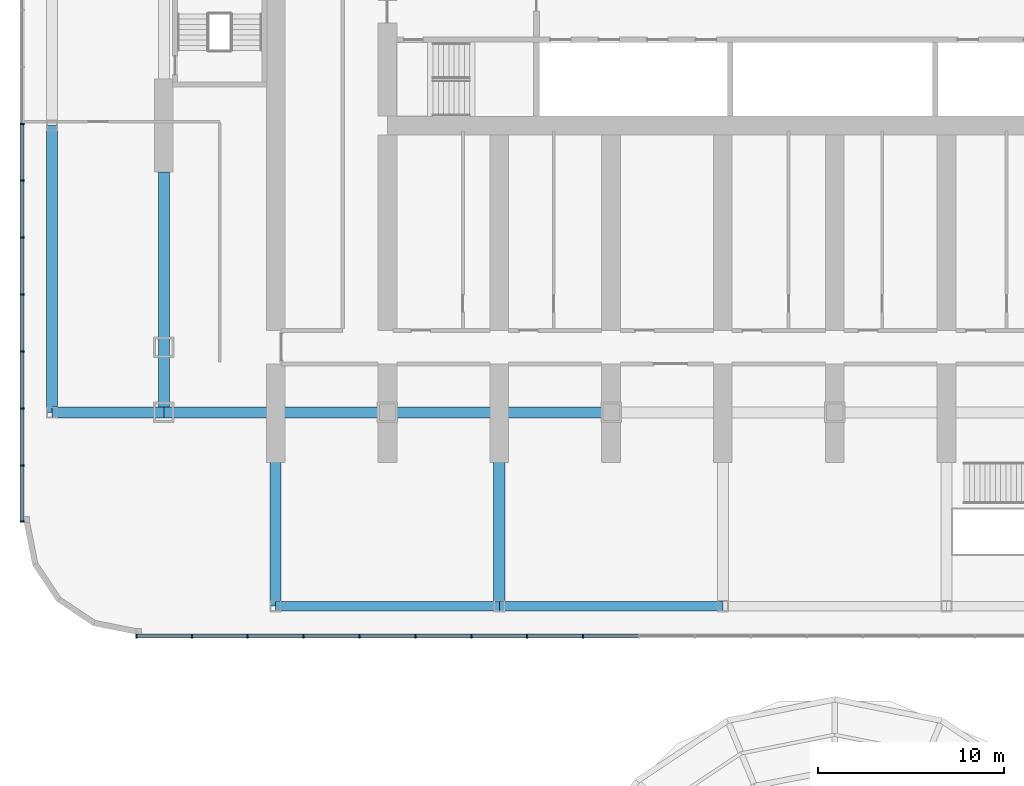
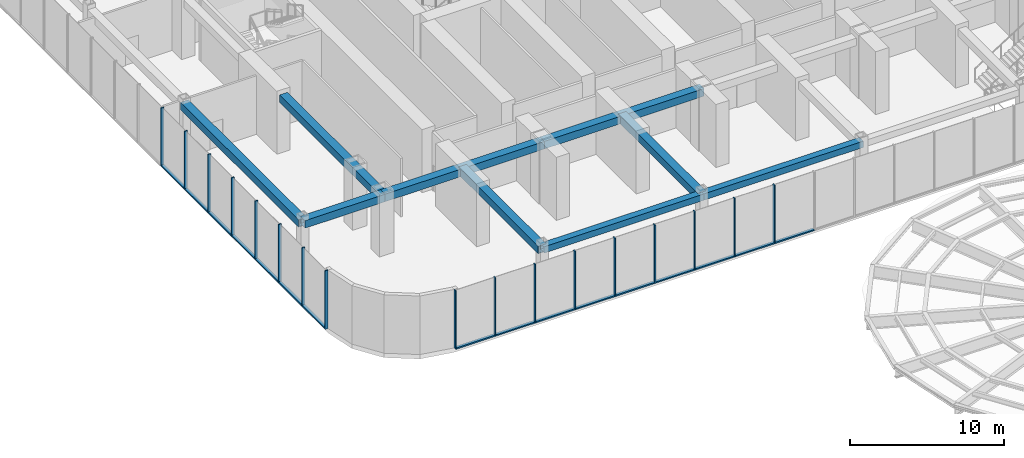
# One storey, part 5 of 37: 33 members, 9 beams, 2 elements without a shape of their own.
"""IFC4 building model written with IfcOpenShell, lengths in metres."""

from ifc_helpers import new_model, si_unit, direction, frame, origin, origin_2d, place, context, subcontext, project, spatial, rectangle, hollow_rectangle, extrude, material, material_profile, profile_set, type_object, element, aggregate, save


model = new_model("IFC4")

# Units and contexts
model_context = context("Model", 3, precision=1e-05, world=origin(), true_north=direction((0.0, 1.0)))
body_context = subcontext(model_context, "Body", "Model", "MODEL_VIEW")
ifc_project = project(units=[si_unit("LENGTHUNIT", "METRE"), si_unit("AREAUNIT", "SQUARE_METRE"), si_unit("VOLUMEUNIT", "CUBIC_METRE"), si_unit("PLANEANGLEUNIT", "RADIAN"), si_unit("MASSUNIT", "GRAM", prefix="KILO")], contexts=[model_context])

# Site, building, storey
site_placement = place(None, origin())
site = spatial("IfcSite", under=ifc_project, at=site_placement, CompositionType="ELEMENT")
building_placement = place(site_placement, origin())
building = spatial("IfcBuilding", under=site, at=building_placement, Name="Orbita Commons", CompositionType="ELEMENT")
storey_placement = place(building_placement, frame((0.0, 0.0, 6.0)))
storey = spatial("IfcBuildingStorey", under=building, at=storey_placement, Name="L01", CompositionType="ELEMENT", Elevation=6.0)

# Curtain wall, members
ifc_material_1 = material(Name="Anodised aluminium frame, pale silver", Category="aluminium")
curtain_wall_type = type_object("IfcCurtainWallType", Name="Podium storefront curtain wall CW-P", PredefinedType="NOTDEFINED", material=ifc_material_1)
curtain_wall_1_placement = place(storey_placement, origin())
curtain_wall_1 = element("IfcCurtainWall", 1, at=curtain_wall_1_placement, inside=storey, type_object=curtain_wall_type, Name="Curtain wall S 1 L01", PredefinedType="NOTDEFINED")
ifc_material_2 = material(Name="Anodised aluminium, pale silver", Category="aluminium")
ifc_material_profile_1 = material_profile(ifc_material_2, rectangle(XDim=0.080078125, YDim=0.219970703125, at=origin_2d()), Name="AL 80x220")
ifc_profile_set_1 = profile_set([ifc_material_profile_1], Name="Anodised aluminium, pale silver")
member_type_1 = type_object("IfcMemberType", Name="Curtain wall mullion 80x220", PredefinedType="MULLION", material=ifc_profile_set_1)
member_1_placement = place(storey_placement, frame((4.5400390625, -1.610107421875, 0.0), z_axis=(0.0, 0.0, 1.0), x_axis=(1.0, 0.0, 0.0)))
member_1 = element("IfcMember", 2, at=member_1_placement, type_object=member_type_1, Name="Mullion 1 CW-L01-S0", PredefinedType="MULLION", context=body_context, shape_type="SweptSolid", body=[
    extrude(rectangle(XDim=0.080078125, YDim=0.219970703125, at=origin_2d()), origin(), (0.0, 0.0, 1.0), 4.64990234375),
])
member_2_placement = place(storey_placement, frame((7.5, -1.610107421875, 0.0), z_axis=(0.0, 0.0, 1.0), x_axis=(1.0, 0.0, 0.0)))
member_2 = element("IfcMember", 3, at=member_2_placement, type_object=member_type_1, Name="Mullion 2 CW-L01-S0", PredefinedType="MULLION", context=body_context, shape_type="SweptSolid", body=[
    extrude(rectangle(XDim=0.080078125, YDim=0.219970703125, at=origin_2d()), origin(), (0.0, 0.0, 1.0), 4.64990234375),
])
member_3_placement = place(storey_placement, frame((10.5, -1.610107421875, 0.0), z_axis=(0.0, 0.0, 1.0), x_axis=(1.0, 0.0, 0.0)))
member_3 = element("IfcMember", 4, at=member_3_placement, type_object=member_type_1, Name="Mullion 3 CW-L01-S0", PredefinedType="MULLION", context=body_context, shape_type="SweptSolid", body=[
    extrude(rectangle(XDim=0.080078125, YDim=0.219970703125, at=origin_2d()), origin(), (0.0, 0.0, 1.0), 4.64990234375),
])
member_4_placement = place(storey_placement, frame((13.5, -1.610107421875, 0.0), z_axis=(0.0, 0.0, 1.0), x_axis=(1.0, 0.0, 0.0)))
member_4 = element("IfcMember", 5, at=member_4_placement, type_object=member_type_1, Name="Mullion 4 CW-L01-S0", PredefinedType="MULLION", context=body_context, shape_type="SweptSolid", body=[
    extrude(rectangle(XDim=0.080078125, YDim=0.219970703125, at=origin_2d()), origin(), (0.0, 0.0, 1.0), 4.64990234375),
])
member_5_placement = place(storey_placement, frame((16.5, -1.610107421875, 0.0), z_axis=(0.0, 0.0, 1.0), x_axis=(1.0, 0.0, 0.0)))
member_5 = element("IfcMember", 6, at=member_5_placement, type_object=member_type_1, Name="Mullion 5 CW-L01-S0", PredefinedType="MULLION", context=body_context, shape_type="SweptSolid", body=[
    extrude(rectangle(XDim=0.080078125, YDim=0.219970703125, at=origin_2d()), origin(), (0.0, 0.0, 1.0), 4.64990234375),
])
member_6_placement = place(storey_placement, frame((19.5, -1.610107421875, 0.0), z_axis=(0.0, 0.0, 1.0), x_axis=(1.0, 0.0, 0.0)))
member_6 = element("IfcMember", 7, at=member_6_placement, type_object=member_type_1, Name="Mullion 6 CW-L01-S0", PredefinedType="MULLION", context=body_context, shape_type="SweptSolid", body=[
    extrude(rectangle(XDim=0.080078125, YDim=0.219970703125, at=origin_2d()), origin(), (0.0, 0.0, 1.0), 4.64990234375),
])
member_7_placement = place(storey_placement, frame((22.5, -1.610107421875, 0.0), z_axis=(0.0, 0.0, 1.0), x_axis=(1.0, 0.0, 0.0)))
member_7 = element("IfcMember", 8, at=member_7_placement, type_object=member_type_1, Name="Mullion 7 CW-L01-S0", PredefinedType="MULLION", context=body_context, shape_type="SweptSolid", body=[
    extrude(rectangle(XDim=0.080078125, YDim=0.219970703125, at=origin_2d()), origin(), (0.0, 0.0, 1.0), 4.64990234375),
])
member_8_placement = place(storey_placement, frame((25.5, -1.610107421875, 0.0), z_axis=(0.0, 0.0, 1.0), x_axis=(1.0, 0.0, 0.0)))
member_8 = element("IfcMember", 9, at=member_8_placement, type_object=member_type_1, Name="Mullion 8 CW-L01-S0", PredefinedType="MULLION", context=body_context, shape_type="SweptSolid", body=[
    extrude(rectangle(XDim=0.080078125, YDim=0.219970703125, at=origin_2d()), origin(), (0.0, 0.0, 1.0), 4.64990234375),
])
member_9_placement = place(storey_placement, frame((28.5, -1.610107421875, 0.0), z_axis=(0.0, 0.0, 1.0), x_axis=(1.0, 0.0, 0.0)))
member_9 = element("IfcMember", 10, at=member_9_placement, type_object=member_type_1, Name="Mullion 9 CW-L01-S0", PredefinedType="MULLION", context=body_context, shape_type="SweptSolid", body=[
    extrude(rectangle(XDim=0.080078125, YDim=0.219970703125, at=origin_2d()), origin(), (0.0, 0.0, 1.0), 4.64990234375),
])

curtain_wall_2_placement = place(storey_placement, origin())
curtain_wall_2 = element("IfcCurtainWall", 11, at=curtain_wall_2_placement, inside=storey, type_object=curtain_wall_type, Name="Curtain wall W 1 L01", PredefinedType="NOTDEFINED")
member_10_placement = place(storey_placement, frame((-1.610107421875, 25.888916015625, 0.0), z_axis=(0.0, 0.0, 1.0), x_axis=(0.0, -1.0, 0.0)))
member_10 = element("IfcMember", 12, at=member_10_placement, type_object=member_type_1, Name="Mullion 12 CW-L01-W0", PredefinedType="MULLION", context=body_context, shape_type="SweptSolid", body=[
    extrude(rectangle(XDim=0.080078125, YDim=0.219970703125, at=origin_2d()), origin(), (0.0, 0.0, 1.0), 4.64990234375),
])
member_11_placement = place(storey_placement, frame((-1.610107421875, 22.833251953125, 0.0), z_axis=(0.0, 0.0, 1.0), x_axis=(0.0, -1.0, 0.0)))
member_11 = element("IfcMember", 13, at=member_11_placement, type_object=member_type_1, Name="Mullion 13 CW-L01-W0", PredefinedType="MULLION", context=body_context, shape_type="SweptSolid", body=[
    extrude(rectangle(XDim=0.080078125, YDim=0.219970703125, at=origin_2d()), origin(), (0.0, 0.0, 1.0), 4.64990234375),
])
member_12_placement = place(storey_placement, frame((-1.610107421875, 19.77783203125, 0.0), z_axis=(0.0, 0.0, 1.0), x_axis=(0.0, -1.0, 0.0)))
member_12 = element("IfcMember", 14, at=member_12_placement, type_object=member_type_1, Name="Mullion 14 CW-L01-W0", PredefinedType="MULLION", context=body_context, shape_type="SweptSolid", body=[
    extrude(rectangle(XDim=0.080078125, YDim=0.219970703125, at=origin_2d()), origin(), (0.0, 0.0, 1.0), 4.64990234375),
])
member_13_placement = place(storey_placement, frame((-1.610107421875, 16.72216796875, 0.0), z_axis=(0.0, 0.0, 1.0), x_axis=(0.0, -1.0, 0.0)))
member_13 = element("IfcMember", 15, at=member_13_placement, type_object=member_type_1, Name="Mullion 15 CW-L01-W0", PredefinedType="MULLION", context=body_context, shape_type="SweptSolid", body=[
    extrude(rectangle(XDim=0.080078125, YDim=0.219970703125, at=origin_2d()), origin(), (0.0, 0.0, 1.0), 4.64990234375),
])
member_14_placement = place(storey_placement, frame((-1.610107421875, 13.666748046875, 0.0), z_axis=(0.0, 0.0, 1.0), x_axis=(0.0, -1.0, 0.0)))
member_14 = element("IfcMember", 16, at=member_14_placement, type_object=member_type_1, Name="Mullion 16 CW-L01-W0", PredefinedType="MULLION", context=body_context, shape_type="SweptSolid", body=[
    extrude(rectangle(XDim=0.080078125, YDim=0.219970703125, at=origin_2d()), origin(), (0.0, 0.0, 1.0), 4.64990234375),
])
member_15_placement = place(storey_placement, frame((-1.610107421875, 10.611083984375, 0.0), z_axis=(0.0, 0.0, 1.0), x_axis=(0.0, -1.0, 0.0)))
member_15 = element("IfcMember", 17, at=member_15_placement, type_object=member_type_1, Name="Mullion 17 CW-L01-W0", PredefinedType="MULLION", context=body_context, shape_type="SweptSolid", body=[
    extrude(rectangle(XDim=0.080078125, YDim=0.219970703125, at=origin_2d()), origin(), (0.0, 0.0, 1.0), 4.64990234375),
])
member_16_placement = place(storey_placement, frame((-1.610107421875, 7.5556640625, 0.0), z_axis=(0.0, 0.0, 1.0), x_axis=(0.0, -1.0, 0.0)))
member_16 = element("IfcMember", 18, at=member_16_placement, type_object=member_type_1, Name="Mullion 18 CW-L01-W0", PredefinedType="MULLION", context=body_context, shape_type="SweptSolid", body=[
    extrude(rectangle(XDim=0.080078125, YDim=0.219970703125, at=origin_2d()), origin(), (0.0, 0.0, 1.0), 4.64990234375),
])
member_17_placement = place(storey_placement, frame((-1.610107421875, 4.5400390625, 0.0), z_axis=(0.0, 0.0, 1.0), x_axis=(0.0, -1.0, 0.0)))
member_17 = element("IfcMember", 19, at=member_17_placement, type_object=member_type_1, Name="Mullion 19 CW-L01-W0", PredefinedType="MULLION", context=body_context, shape_type="SweptSolid", body=[
    extrude(rectangle(XDim=0.080078125, YDim=0.219970703125, at=origin_2d()), origin(), (0.0, 0.0, 1.0), 4.64990234375),
])

# Member
ifc_material_3 = material(Name="Anodised aluminium, pale silver", Category="aluminium")
ifc_material_profile_2 = material_profile(ifc_material_3, rectangle(XDim=0.219970703125, YDim=0.10009765625, at=origin_2d()), Name="AL 220x100")
ifc_profile_set_2 = profile_set([ifc_material_profile_2], Name="Anodised aluminium, pale silver")
member_type_2 = type_object("IfcMemberType", Name="Curtain wall stack transom 220x100", PredefinedType="USERDEFINED", material=ifc_profile_set_2)
member_18_placement = place(storey_placement, frame((4.580078125, -1.610107421875, 0.050048828125), z_axis=(1.0, 0.0, 0.0), x_axis=(0.0, 1.0, 0.0)))
member_18 = element("IfcMember", 20, at=member_18_placement, type_object=member_type_2, Name="Transom 1.1 CW-L01-S0", ObjectType="TRANSOM", PredefinedType="USERDEFINED", context=body_context, shape_type="SweptSolid", body=[
    extrude(rectangle(XDim=0.219970703125, YDim=0.10009765625, at=origin_2d()), origin(), (0.0, 0.0, 1.0), 2.8798828125),
])

member_19_placement = place(storey_placement, frame((7.5400390625, -1.610107421875, 0.050048828125), z_axis=(1.0, 0.0, 0.0), x_axis=(0.0, 1.0, 0.0)))
member_19 = element("IfcMember", 21, at=member_19_placement, type_object=member_type_2, Name="Transom 2.1 CW-L01-S0", ObjectType="TRANSOM", PredefinedType="USERDEFINED", context=body_context, shape_type="SweptSolid", body=[
    extrude(rectangle(XDim=0.219970703125, YDim=0.10009765625, at=origin_2d()), origin(), (0.0, 0.0, 1.0), 2.919921875),
])

member_20_placement = place(storey_placement, frame((10.5400390625, -1.610107421875, 0.050048828125), z_axis=(1.0, 0.0, 0.0), x_axis=(0.0, 1.0, 0.0)))
member_20 = element("IfcMember", 22, at=member_20_placement, type_object=member_type_2, Name="Transom 3.1 CW-L01-S0", ObjectType="TRANSOM", PredefinedType="USERDEFINED", context=body_context, shape_type="SweptSolid", body=[
    extrude(rectangle(XDim=0.219970703125, YDim=0.10009765625, at=origin_2d()), origin(), (0.0, 0.0, 1.0), 2.919921875),
])

member_21_placement = place(storey_placement, frame((13.5400390625, -1.610107421875, 0.050048828125), z_axis=(1.0, 0.0, 0.0), x_axis=(0.0, 1.0, 0.0)))
member_21 = element("IfcMember", 23, at=member_21_placement, type_object=member_type_2, Name="Transom 4.1 CW-L01-S0", ObjectType="TRANSOM", PredefinedType="USERDEFINED", context=body_context, shape_type="SweptSolid", body=[
    extrude(rectangle(XDim=0.219970703125, YDim=0.10009765625, at=origin_2d()), origin(), (0.0, 0.0, 1.0), 2.919921875),
])

member_22_placement = place(storey_placement, frame((16.5400390625, -1.610107421875, 0.050048828125), z_axis=(1.0, 0.0, 0.0), x_axis=(0.0, 1.0, 0.0)))
member_22 = element("IfcMember", 24, at=member_22_placement, type_object=member_type_2, Name="Transom 5.1 CW-L01-S0", ObjectType="TRANSOM", PredefinedType="USERDEFINED", context=body_context, shape_type="SweptSolid", body=[
    extrude(rectangle(XDim=0.219970703125, YDim=0.10009765625, at=origin_2d()), origin(), (0.0, 0.0, 1.0), 2.919921875),
])

member_23_placement = place(storey_placement, frame((19.5400390625, -1.610107421875, 0.050048828125), z_axis=(1.0, 0.0, 0.0), x_axis=(0.0, 1.0, 0.0)))
member_23 = element("IfcMember", 25, at=member_23_placement, type_object=member_type_2, Name="Transom 6.1 CW-L01-S0", ObjectType="TRANSOM", PredefinedType="USERDEFINED", context=body_context, shape_type="SweptSolid", body=[
    extrude(rectangle(XDim=0.219970703125, YDim=0.10009765625, at=origin_2d()), origin(), (0.0, 0.0, 1.0), 2.919921875),
])

member_24_placement = place(storey_placement, frame((22.5400390625, -1.610107421875, 0.050048828125), z_axis=(1.0, 0.0, 0.0), x_axis=(0.0, 1.0, 0.0)))
member_24 = element("IfcMember", 26, at=member_24_placement, type_object=member_type_2, Name="Transom 7.1 CW-L01-S0", ObjectType="TRANSOM", PredefinedType="USERDEFINED", context=body_context, shape_type="SweptSolid", body=[
    extrude(rectangle(XDim=0.219970703125, YDim=0.10009765625, at=origin_2d()), origin(), (0.0, 0.0, 1.0), 2.919921875),
])

member_25_placement = place(storey_placement, frame((25.5400390625, -1.610107421875, 0.050048828125), z_axis=(1.0, 0.0, 0.0), x_axis=(0.0, 1.0, 0.0)))
member_25 = element("IfcMember", 27, at=member_25_placement, type_object=member_type_2, Name="Transom 8.1 CW-L01-S0", ObjectType="TRANSOM", PredefinedType="USERDEFINED", context=body_context, shape_type="SweptSolid", body=[
    extrude(rectangle(XDim=0.219970703125, YDim=0.10009765625, at=origin_2d()), origin(), (0.0, 0.0, 1.0), 2.919921875),
])

member_26_placement = place(storey_placement, frame((28.5400390625, -1.610107421875, 0.050048828125), z_axis=(1.0, 0.0, 0.0), x_axis=(0.0, 1.0, 0.0)))
member_26 = element("IfcMember", 28, at=member_26_placement, type_object=member_type_2, Name="Transom 9.1 CW-L01-S0", ObjectType="TRANSOM", PredefinedType="USERDEFINED", context=body_context, shape_type="SweptSolid", body=[
    extrude(rectangle(XDim=0.219970703125, YDim=0.10009765625, at=origin_2d()), origin(), (0.0, 0.0, 1.0), 2.919921875),
])

aggregate(curtain_wall_1, [member_1, member_2, member_3, member_4, member_5, member_6, member_7, member_8, member_9, member_18, member_19, member_20, member_21, member_22, member_23, member_24, member_25, member_26])

member_27_placement = place(storey_placement, frame((-1.610107421875, 25.848876953125, 0.050048828125), z_axis=(0.0, -1.0, 0.0), x_axis=(1.0, 0.0, 0.0)))
member_27 = element("IfcMember", 29, at=member_27_placement, type_object=member_type_2, Name="Transom 12.1 CW-L01-W0", ObjectType="TRANSOM", PredefinedType="USERDEFINED", context=body_context, shape_type="SweptSolid", body=[
    extrude(rectangle(XDim=0.219970703125, YDim=0.10009765625, at=origin_2d()), origin(), (0.0, 0.0, 1.0), 2.9755859375),
])

member_28_placement = place(storey_placement, frame((-1.610107421875, 22.793212890625, 0.050048828125), z_axis=(0.0, -1.0, 0.0), x_axis=(1.0, 0.0, 0.0)))
member_28 = element("IfcMember", 30, at=member_28_placement, type_object=member_type_2, Name="Transom 13.1 CW-L01-W0", ObjectType="TRANSOM", PredefinedType="USERDEFINED", context=body_context, shape_type="SweptSolid", body=[
    extrude(rectangle(XDim=0.219970703125, YDim=0.10009765625, at=origin_2d()), origin(), (0.0, 0.0, 1.0), 2.975341796875),
])

member_29_placement = place(storey_placement, frame((-1.610107421875, 19.73779296875, 0.050048828125), z_axis=(0.0, -1.0, 0.0), x_axis=(1.0, 0.0, 0.0)))
member_29 = element("IfcMember", 31, at=member_29_placement, type_object=member_type_2, Name="Transom 14.1 CW-L01-W0", ObjectType="TRANSOM", PredefinedType="USERDEFINED", context=body_context, shape_type="SweptSolid", body=[
    extrude(rectangle(XDim=0.219970703125, YDim=0.10009765625, at=origin_2d()), origin(), (0.0, 0.0, 1.0), 2.9755859375),
])

member_30_placement = place(storey_placement, frame((-1.610107421875, 16.68212890625, 0.050048828125), z_axis=(0.0, -1.0, 0.0), x_axis=(1.0, 0.0, 0.0)))
member_30 = element("IfcMember", 32, at=member_30_placement, type_object=member_type_2, Name="Transom 15.1 CW-L01-W0", ObjectType="TRANSOM", PredefinedType="USERDEFINED", context=body_context, shape_type="SweptSolid", body=[
    extrude(rectangle(XDim=0.219970703125, YDim=0.10009765625, at=origin_2d()), origin(), (0.0, 0.0, 1.0), 2.975341796875),
])

member_31_placement = place(storey_placement, frame((-1.610107421875, 13.626708984375, 0.050048828125), z_axis=(0.0, -1.0, 0.0), x_axis=(1.0, 0.0, 0.0)))
member_31 = element("IfcMember", 33, at=member_31_placement, type_object=member_type_2, Name="Transom 16.1 CW-L01-W0", ObjectType="TRANSOM", PredefinedType="USERDEFINED", context=body_context, shape_type="SweptSolid", body=[
    extrude(rectangle(XDim=0.219970703125, YDim=0.10009765625, at=origin_2d()), origin(), (0.0, 0.0, 1.0), 2.9755859375),
])

member_32_placement = place(storey_placement, frame((-1.610107421875, 10.571044921875, 0.050048828125), z_axis=(0.0, -1.0, 0.0), x_axis=(1.0, 0.0, 0.0)))
member_32 = element("IfcMember", 34, at=member_32_placement, type_object=member_type_2, Name="Transom 17.1 CW-L01-W0", ObjectType="TRANSOM", PredefinedType="USERDEFINED", context=body_context, shape_type="SweptSolid", body=[
    extrude(rectangle(XDim=0.219970703125, YDim=0.10009765625, at=origin_2d()), origin(), (0.0, 0.0, 1.0), 2.9755859375),
])

member_33_placement = place(storey_placement, frame((-1.610107421875, 7.515625, 0.050048828125), z_axis=(0.0, -1.0, 0.0), x_axis=(1.0, 0.0, 0.0)))
member_33 = element("IfcMember", 35, at=member_33_placement, type_object=member_type_2, Name="Transom 18.1 CW-L01-W0", ObjectType="TRANSOM", PredefinedType="USERDEFINED", context=body_context, shape_type="SweptSolid", body=[
    extrude(rectangle(XDim=0.219970703125, YDim=0.10009765625, at=origin_2d()), origin(), (0.0, 0.0, 1.0), 2.935546875),
])

aggregate(curtain_wall_2, [member_10, member_11, member_12, member_13, member_14, member_15, member_16, member_17, member_27, member_28, member_29, member_30, member_31, member_32, member_33])

# Beams
ifc_material_4 = material(Name="Steel ASTM A572 Gr 50 welded plate", Category="steel")
ifc_material_profile_3 = material_profile(ifc_material_4, hollow_rectangle(XDim=0.5, YDim=0.5, WallThickness=0.050048828125, at=origin_2d()), Name="BOX 500x500x50")
ifc_profile_set_3 = profile_set([ifc_material_profile_3], Name="Steel ASTM A572 Gr 50 welded plate")
beam_type_1 = type_object("IfcBeamType", Name="Steel edge beam BOX 500x500x50", PredefinedType="SPANDREL", material=ifc_profile_set_3)
for number, where, z_axis, x_axis, name in (
    (36, (12.0, 0.0, 4.39990234375), (1.0, 0.0, 0.0), (0.0, 1.0, 0.0), "Edge beam A 3-5 L01"),
    (37, (24.0, 0.0, 4.39990234375), (1.0, 0.0, 0.0), (0.0, 1.0, 0.0), "Edge beam A 5-7 L01"),
):
    element("IfcBeam", number, at=place(storey_placement, frame(where, z_axis=z_axis, x_axis=x_axis)), inside=storey, type_object=beam_type_1, Name=name, PredefinedType="SPANDREL", context=body_context, shape_type="SweptSolid", body=[
        extrude(hollow_rectangle(XDim=0.5, YDim=0.5, WallThickness=0.050048828125, at=origin_2d()), origin(), (0.0, 0.0, 1.0), 12.0),
    ])
ifc_material_5 = material(Name="Steel ASTM A572 Gr 50 welded plate", Category="steel")
ifc_material_profile_4 = material_profile(ifc_material_5, hollow_rectangle(XDim=0.60009765625, YDim=0.60009765625, WallThickness=0.06005859375, at=origin_2d()), Name="BOX 600x600x60")
ifc_profile_set_4 = profile_set([ifc_material_profile_4], Name="Steel ASTM A572 Gr 50 welded plate")
beam_type_2 = type_object("IfcBeamType", Name="Steel podium beam BOX 600x600x60", PredefinedType="BEAM", material=ifc_profile_set_4)
beam_1_placement = place(storey_placement, frame((0.0, 10.39990234375, 4.35009765625), z_axis=(1.0, 0.0, 0.0), x_axis=(0.0, 1.0, 0.0)))
element("IfcBeam", 38, at=beam_1_placement, inside=storey, type_object=beam_type_2, Name="Podium beam B 1-2 L01", PredefinedType="BEAM", context=body_context, shape_type="SweptSolid", body=[
    extrude(hollow_rectangle(XDim=0.60009765625, YDim=0.60009765625, WallThickness=0.06005859375, at=origin_2d()), origin(), (0.0, 0.0, 1.0), 6.0),
])
for number, where, z_axis, x_axis, name in (
    (39, (6.0, 10.39990234375, 4.35009765625), (1.0, 0.0, 0.0), (0.0, 1.0, 0.0), "Podium beam B 2-4 L01"),
    (40, (18.0, 10.39990234375, 4.35009765625), (1.0, 0.0, 0.0), (0.0, 1.0, 0.0), "Podium beam B 4-6 L01"),
):
    element("IfcBeam", number, at=place(storey_placement, frame(where, z_axis=z_axis, x_axis=x_axis)), inside=storey, type_object=beam_type_2, Name=name, PredefinedType="BEAM", context=body_context, shape_type="SweptSolid", body=[
        extrude(hollow_rectangle(XDim=0.60009765625, YDim=0.60009765625, WallThickness=0.06005859375, at=origin_2d()), origin(), (0.0, 0.0, 1.0), 12.0),
    ])
for number, where, z_axis, x_axis, name in (
    (41, (12.0, 0.0, 4.35009765625), (0.0, 1.0, 0.0), (-1.0, 0.0, 0.0), "Podium beam 3 A-B L01"),
    (42, (24.0, 0.0, 4.35009765625), (0.0, 1.0, 0.0), (-1.0, 0.0, 0.0), "Podium beam 5 A-B L01"),
):
    element("IfcBeam", number, at=place(storey_placement, frame(where, z_axis=z_axis, x_axis=x_axis)), inside=storey, type_object=beam_type_2, Name=name, PredefinedType="BEAM", context=body_context, shape_type="SweptSolid", body=[
        extrude(hollow_rectangle(XDim=0.60009765625, YDim=0.60009765625, WallThickness=0.06005859375, at=origin_2d()), origin(), (0.0, 0.0, 1.0), 10.39990234375),
    ])
beam_2_placement = place(storey_placement, frame((0.0, 10.39990234375, 4.35009765625), z_axis=(0.0, 1.0, 0.0), x_axis=(-1.0, 0.0, 0.0)))
element("IfcBeam", 43, at=beam_2_placement, inside=storey, type_object=beam_type_2, Name="Podium beam 1 B-C L01", PredefinedType="BEAM", context=body_context, shape_type="SweptSolid", body=[
    extrude(hollow_rectangle(XDim=0.60009765625, YDim=0.60009765625, WallThickness=0.06005859375, at=origin_2d()), origin(), (0.0, 0.0, 1.0), 15.400146484375),
])
beam_3_placement = place(storey_placement, frame((6.0, 10.39990234375, 4.35009765625), z_axis=(0.0, 1.0, 0.0), x_axis=(-1.0, 0.0, 0.0)))
element("IfcBeam", 44, at=beam_3_placement, inside=storey, type_object=beam_type_2, Name="Podium beam 2 B-C L01", PredefinedType="BEAM", context=body_context, shape_type="SweptSolid", body=[
    extrude(hollow_rectangle(XDim=0.60009765625, YDim=0.60009765625, WallThickness=0.06005859375, at=origin_2d()), origin(), (0.0, 0.0, 1.0), 12.900146484375),
])

save(model, "model.ifc")
